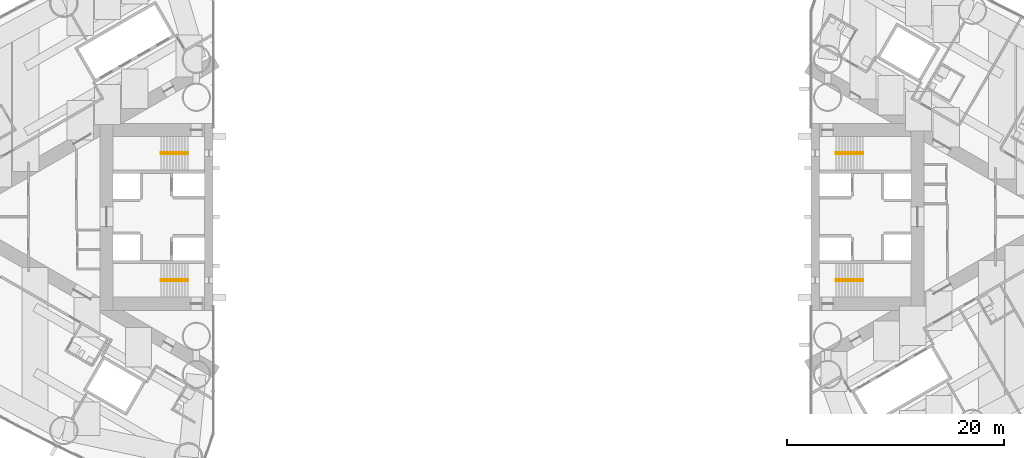
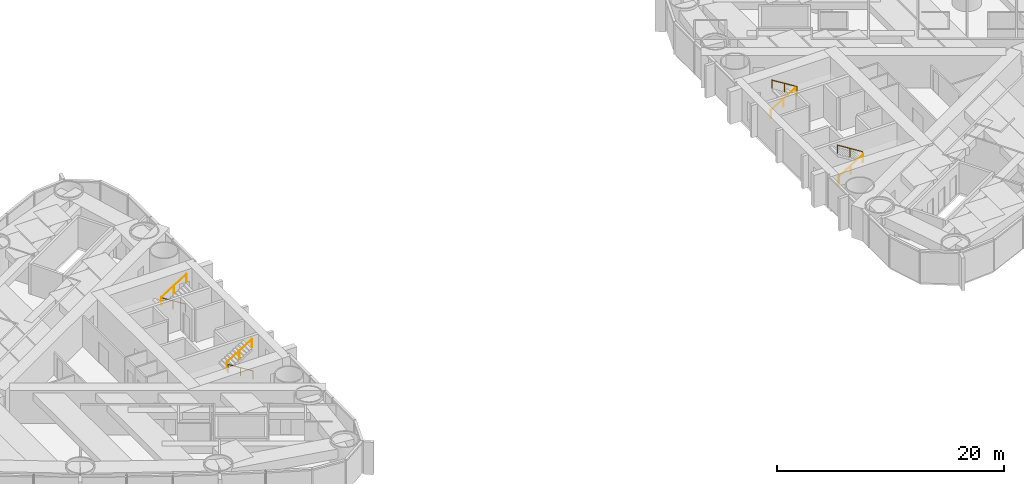
# One storey, part 17 of 18: 8 railings.
"""IFC4 building model written with IfcOpenShell, lengths in metres."""

from ifc_helpers import new_model, si_unit, direction, frame, origin, origin_2d, place, context, subcontext, project, spatial, circle, extrude, material, type_object, element, save


model = new_model("IFC4")

# Units and contexts
model_context = context("Model", 3, precision=1e-05, world=origin(), true_north=direction((0.0, 1.0)))
body_context = subcontext(model_context, "Body", "Model", "MODEL_VIEW")
ifc_project = project(units=[si_unit("LENGTHUNIT", "METRE"), si_unit("AREAUNIT", "SQUARE_METRE"), si_unit("VOLUMEUNIT", "CUBIC_METRE"), si_unit("PLANEANGLEUNIT", "RADIAN"), si_unit("MASSUNIT", "GRAM", prefix="KILO")], contexts=[model_context])

# Site, building, storey
site_placement = place(None, origin())
site = spatial("IfcSite", under=ifc_project, at=site_placement, CompositionType="ELEMENT")
building_placement = place(site_placement, origin())
building = spatial("IfcBuilding", under=site, at=building_placement, Name="Lancet Gate Hotel", CompositionType="ELEMENT")
storey_placement = place(building_placement, frame((0.0, 0.0, 118.60009765625)))
storey = spatial("IfcBuildingStorey", under=building, at=storey_placement, Name="L31", CompositionType="ELEMENT", Elevation=118.60009765625)

# Railings
ifc_material = material(Name="Stainless steel handrail", Category="steel")
railing_type = type_object("IfcRailingType", Name="Stair handrail 900", PredefinedType="HANDRAIL", material=ifc_material)
railing_1_placement = place(storey_placement, frame((-29.800048828125, 5.929931640625, 0.1748046875)))
element("IfcRailing", 1, at=railing_1_placement, inside=storey, type_object=railing_type, Name="ST1 handrail flight 1 L31", PredefinedType="HANDRAIL", context=body_context, shape_type="SweptSolid", body=[
    extrude(circle(Radius=0.02392578125, at=origin_2d()), frame((0.0, 0.0, 0.8759765625), z_axis=(-0.847970611238, 0.0, 0.530043245855), x_axis=(0.0, -1.0, 0.0)), (0.0, 0.0, 1.0), 2.971923828125),
    extrude(circle(Radius=0.02099609375, at=origin_2d()), origin(), (0.0, 0.0, 1.0), 0.851806640625),
    extrude(circle(Radius=0.02099609375, at=origin_2d()), frame((-1.260009765625, 0.0, 0.78759765625)), (0.0, 0.0, 1.0), 0.851806640625),
    extrude(circle(Radius=0.02099609375, at=origin_2d()), frame((-2.52001953125, 0.0, 1.5751953125)), (0.0, 0.0, 1.0), 0.851806640625),
])
railing_2_placement = place(storey_placement, frame((-32.320068359375, 5.77001953125, 1.9248046875)))
element("IfcRailing", 2, at=railing_2_placement, inside=storey, type_object=railing_type, Name="ST1 handrail flight 2 L31", PredefinedType="HANDRAIL", context=body_context, shape_type="SweptSolid", body=[
    extrude(circle(Radius=0.02392578125, at=origin_2d()), frame((0.0, 0.0, 0.8759765625), z_axis=(0.847970611238, 0.0, 0.530043245855), x_axis=(0.0, 1.0, 0.0)), (0.0, 0.0, 1.0), 2.971923828125),
    extrude(circle(Radius=0.02099609375, at=origin_2d()), origin(), (0.0, 0.0, 1.0), 0.851806640625),
    extrude(circle(Radius=0.02099609375, at=origin_2d()), frame((1.260009765625, 0.0, 0.78759765625)), (0.0, 0.0, 1.0), 0.851806640625),
    extrude(circle(Radius=0.02099609375, at=origin_2d()), frame((2.52001953125, 0.0, 1.5751953125)), (0.0, 0.0, 1.0), 0.851806640625),
])
railing_3_placement = place(storey_placement, frame((-29.800048828125, -5.929931640625, 0.1748046875)))
element("IfcRailing", 3, at=railing_3_placement, inside=storey, type_object=railing_type, Name="ST2 handrail flight 1 L31", PredefinedType="HANDRAIL", context=body_context, shape_type="SweptSolid", body=[
    extrude(circle(Radius=0.02392578125, at=origin_2d()), frame((0.0, 0.0, 0.8759765625), z_axis=(-0.847970611238, 0.0, 0.530043245855), x_axis=(0.0, -1.0, 0.0)), (0.0, 0.0, 1.0), 2.971923828125),
    extrude(circle(Radius=0.02099609375, at=origin_2d()), origin(), (0.0, 0.0, 1.0), 0.851806640625),
    extrude(circle(Radius=0.02099609375, at=origin_2d()), frame((-1.260009765625, 0.0, 0.78759765625)), (0.0, 0.0, 1.0), 0.851806640625),
    extrude(circle(Radius=0.02099609375, at=origin_2d()), frame((-2.52001953125, 0.0, 1.5751953125)), (0.0, 0.0, 1.0), 0.851806640625),
])
for number, where, name in (
    (4, (-32.320068359375, -5.77001953125, 1.9248046875), "ST2 handrail flight 2 L31"),
    (5, (29.800048828125, -5.929931640625, 0.1748046875), "ST3 handrail flight 1 L31"),
):
    element("IfcRailing", number, at=place(storey_placement, frame(where)), inside=storey, type_object=railing_type, Name=name, PredefinedType="HANDRAIL", context=body_context, shape_type="SweptSolid", body=[
        extrude(circle(Radius=0.02392578125, at=origin_2d()), frame((0.0, 0.0, 0.8759765625), z_axis=(0.847970611238, 0.0, 0.530043245855), x_axis=(0.0, 1.0, 0.0)), (0.0, 0.0, 1.0), 2.971923828125),
        extrude(circle(Radius=0.02099609375, at=origin_2d()), origin(), (0.0, 0.0, 1.0), 0.851806640625),
        extrude(circle(Radius=0.02099609375, at=origin_2d()), frame((1.260009765625, 0.0, 0.78759765625)), (0.0, 0.0, 1.0), 0.851806640625),
        extrude(circle(Radius=0.02099609375, at=origin_2d()), frame((2.52001953125, 0.0, 1.5751953125)), (0.0, 0.0, 1.0), 0.851806640625),
    ])
railing_4_placement = place(storey_placement, frame((32.320068359375, -5.77001953125, 1.9248046875)))
element("IfcRailing", 6, at=railing_4_placement, inside=storey, type_object=railing_type, Name="ST3 handrail flight 2 L31", PredefinedType="HANDRAIL", context=body_context, shape_type="SweptSolid", body=[
    extrude(circle(Radius=0.02392578125, at=origin_2d()), frame((0.0, 0.0, 0.8759765625), z_axis=(-0.847970611238, 0.0, 0.530043245855), x_axis=(0.0, -1.0, 0.0)), (0.0, 0.0, 1.0), 2.971923828125),
    extrude(circle(Radius=0.02099609375, at=origin_2d()), origin(), (0.0, 0.0, 1.0), 0.851806640625),
    extrude(circle(Radius=0.02099609375, at=origin_2d()), frame((-1.260009765625, 0.0, 0.78759765625)), (0.0, 0.0, 1.0), 0.851806640625),
    extrude(circle(Radius=0.02099609375, at=origin_2d()), frame((-2.52001953125, 0.0, 1.5751953125)), (0.0, 0.0, 1.0), 0.851806640625),
])
railing_5_placement = place(storey_placement, frame((29.800048828125, 5.929931640625, 0.1748046875)))
element("IfcRailing", 7, at=railing_5_placement, inside=storey, type_object=railing_type, Name="ST4 handrail flight 1 L31", PredefinedType="HANDRAIL", context=body_context, shape_type="SweptSolid", body=[
    extrude(circle(Radius=0.02392578125, at=origin_2d()), frame((0.0, 0.0, 0.8759765625), z_axis=(0.847970611238, 0.0, 0.530043245855), x_axis=(0.0, 1.0, 0.0)), (0.0, 0.0, 1.0), 2.971923828125),
    extrude(circle(Radius=0.02099609375, at=origin_2d()), origin(), (0.0, 0.0, 1.0), 0.851806640625),
    extrude(circle(Radius=0.02099609375, at=origin_2d()), frame((1.260009765625, 0.0, 0.78759765625)), (0.0, 0.0, 1.0), 0.851806640625),
    extrude(circle(Radius=0.02099609375, at=origin_2d()), frame((2.52001953125, 0.0, 1.5751953125)), (0.0, 0.0, 1.0), 0.851806640625),
])
railing_6_placement = place(storey_placement, frame((32.320068359375, 5.77001953125, 1.9248046875)))
element("IfcRailing", 8, at=railing_6_placement, inside=storey, type_object=railing_type, Name="ST4 handrail flight 2 L31", PredefinedType="HANDRAIL", context=body_context, shape_type="SweptSolid", body=[
    extrude(circle(Radius=0.02392578125, at=origin_2d()), frame((0.0, 0.0, 0.8759765625), z_axis=(-0.847970611238, 0.0, 0.530043245855), x_axis=(0.0, -1.0, 0.0)), (0.0, 0.0, 1.0), 2.971923828125),
    extrude(circle(Radius=0.02099609375, at=origin_2d()), origin(), (0.0, 0.0, 1.0), 0.851806640625),
    extrude(circle(Radius=0.02099609375, at=origin_2d()), frame((-1.260009765625, 0.0, 0.78759765625)), (0.0, 0.0, 1.0), 0.851806640625),
    extrude(circle(Radius=0.02099609375, at=origin_2d()), frame((-2.52001953125, 0.0, 1.5751953125)), (0.0, 0.0, 1.0), 0.851806640625),
])

save(model, "model.ifc")
